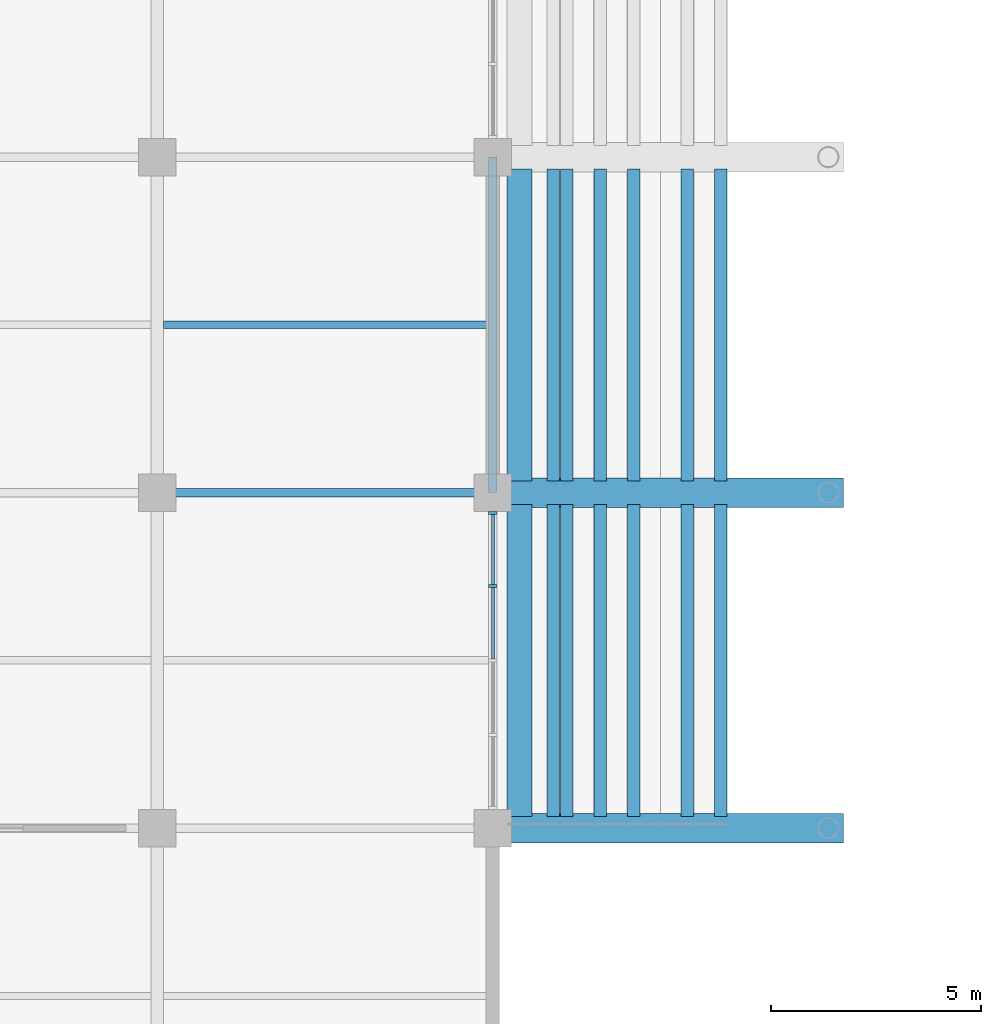
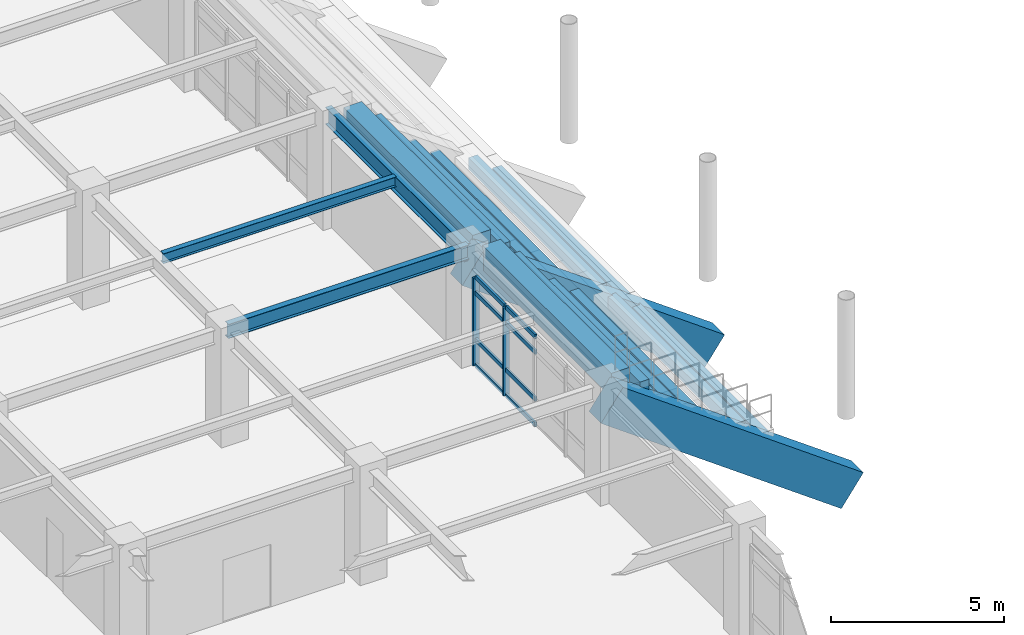
# One storey, part 20 of 118: 19 beams, 10 members, 1 element without a shape of its own.
"""IFC4 building model written with IfcOpenShell, lengths in metres."""

from ifc_helpers import new_model, si_unit, direction, frame, origin, origin_2d, place, context, subcontext, project, spatial, rectangle, i_section, extrude, material, layer, layer_set, material_profile, profile_set, type_object, element, aggregate, save


model = new_model("IFC4")

# Units and contexts
model_context = context("Model", 3, precision=1e-05, world=origin(), true_north=direction((0.0, 1.0)))
body_context = subcontext(model_context, "Body", "Model", "MODEL_VIEW")
ifc_project = project(units=[si_unit("LENGTHUNIT", "METRE"), si_unit("AREAUNIT", "SQUARE_METRE"), si_unit("VOLUMEUNIT", "CUBIC_METRE"), si_unit("PLANEANGLEUNIT", "RADIAN"), si_unit("MASSUNIT", "GRAM", prefix="KILO")], contexts=[model_context])

# Site, building, storey
site_placement = place(None, origin())
site = spatial("IfcSite", under=ifc_project, at=site_placement, CompositionType="ELEMENT")
building_placement = place(site_placement, origin())
building = spatial("IfcBuilding", under=site, at=building_placement, Name="Haebicheon Civic Stadium", CompositionType="ELEMENT")
storey_placement = place(building_placement, frame((0.0, 0.0, 14.39990234375)))
storey = spatial("IfcBuildingStorey", under=building, at=storey_placement, Name="L04", CompositionType="ELEMENT", Elevation=14.39990234375)

# Beams
ifc_material_1 = material(Name="Precast concrete C40/50", Category="concrete")
ifc_material_profile_1 = material_profile(ifc_material_1, rectangle(XDim=0.300048828125, YDim=0.39990234375, at=origin_2d()), Name="PC-LN-300x400")
ifc_profile_set_1 = profile_set([ifc_material_profile_1], Name="Precast concrete C40/50")
beam_type_1 = type_object("IfcBeamType", Name="BM-LN-300x400", PredefinedType="LINTEL", material=ifc_profile_set_1)
for number, where, z_axis, x_axis, name in (
    (1, (69.43994140625, 48.280029296875, -0.10693359375), (0.0, 1.0, 0.0), (-1.0, 0.0, 0.0), "TIER-W-U precast step carrier beam 1.4"),
    (2, (68.639892578125, 48.280029296875, 0.5380859375), (0.0, 1.0, 0.0), (-1.0, 0.0, 0.0), "TIER-W-U precast step carrier beam 1.5"),
    (3, (67.360107421875, 48.280029296875, 1.18212890625), (0.0, 1.0, 0.0), (-1.0, 0.0, 0.0), "TIER-W-U precast step carrier beam 1.6"),
    (4, (66.56005859375, 48.280029296875, 1.8271484375), (0.0, 1.0, 0.0), (-1.0, 0.0, 0.0), "TIER-W-U precast step carrier beam 1.7"),
    (5, (65.760009765625, 48.280029296875, 2.47119140625), (0.0, 1.0, 0.0), (-1.0, 0.0, 0.0), "TIER-W-U precast step carrier beam 1.8"),
    (6, (65.43994140625, 48.280029296875, 3.1162109375), (0.0, 1.0, 0.0), (-1.0, 0.0, 0.0), "TIER-W-U precast step carrier beam 1.9"),
    (7, (69.43994140625, 56.280029296875, -0.10693359375), (0.0, 1.0, 0.0), (-1.0, 0.0, 0.0), "TIER-W-U precast step carrier beam 2.4"),
    (8, (68.639892578125, 56.280029296875, 0.5380859375), (0.0, 1.0, 0.0), (-1.0, 0.0, 0.0), "TIER-W-U precast step carrier beam 2.5"),
    (9, (67.360107421875, 56.280029296875, 1.18212890625), (0.0, 1.0, 0.0), (-1.0, 0.0, 0.0), "TIER-W-U precast step carrier beam 2.6"),
    (10, (66.56005859375, 56.280029296875, 1.8271484375), (0.0, 1.0, 0.0), (-1.0, 0.0, 0.0), "TIER-W-U precast step carrier beam 2.7"),
    (11, (65.760009765625, 56.280029296875, 2.47119140625), (0.0, 1.0, 0.0), (-1.0, 0.0, 0.0), "TIER-W-U precast step carrier beam 2.8"),
    (12, (65.43994140625, 56.280029296875, 3.1162109375), (0.0, 1.0, 0.0), (-1.0, 0.0, 0.0), "TIER-W-U precast step carrier beam 2.9"),
):
    element("IfcBeam", number, at=place(storey_placement, frame(where, z_axis=z_axis, x_axis=x_axis)), inside=storey, type_object=beam_type_1, material=ifc_profile_set_1, Name=name, PredefinedType="LINTEL", context=body_context, shape_type="SweptSolid", body=[
        extrude(rectangle(XDim=0.300048828125, YDim=0.39990234375, at=origin_2d()), origin(), (0.0, 0.0, 1.0), 7.43994140625),
    ])
ifc_material_2 = material(Name="Steel SM355 (S355)", Category="steel")
ifc_material_profile_2 = material_profile(ifc_material_2, i_section(OverallWidth=0.199951171875, OverallDepth=0.5, WebThickness=0.010009765625, FlangeThickness=0.01611328125, at=origin_2d()), Name="H-500x200x10x16")
ifc_profile_set_2 = profile_set([ifc_material_profile_2], Name="Steel SM355 (S355)")
beam_type_2 = type_object("IfcBeamType", Name="BM-ST-H500", PredefinedType="BEAM", material=ifc_profile_set_2)
beam_1_placement = place(storey_placement, frame((56.0, 56.0, 3.72998046875), z_axis=(1.0, 0.0, 0.0), x_axis=(0.0, 1.0, 0.0)))
element("IfcBeam", 13, at=beam_1_placement, inside=storey, type_object=beam_type_2, material=ifc_profile_set_2, Name="L04 beam H/8-9", PredefinedType="BEAM", context=body_context, shape_type="SweptSolid", body=[
    extrude(i_section(OverallWidth=0.199951171875, OverallDepth=0.5, WebThickness=0.010009765625, FlangeThickness=0.01611328125, at=origin_2d()), origin(), (0.0, 0.0, 1.0), 8.0),
])
ifc_material_3 = material(Name="Precast concrete C40/50", Category="concrete")
ifc_material_profile_3 = material_profile(ifc_material_3, rectangle(XDim=0.60009765625, YDim=0.85009765625, at=origin_2d()), Name="PC-TB-600x850")
ifc_profile_set_3 = profile_set([ifc_material_profile_3], Name="Precast concrete C40/50")
beam_type_3 = type_object("IfcBeamType", Name="BM-TB-600x850", PredefinedType="T_BEAM", material=ifc_profile_set_3)
for number, where, z_axis, x_axis, name in (
    (14, (64.639892578125, 48.280029296875, 3.53515625), (0.0, 1.0, 0.0), (-1.0, 0.0, 0.0), "TIER-W-U upper tier bench carrier beam 1"),
    (15, (64.639892578125, 56.280029296875, 3.53515625), (0.0, 1.0, 0.0), (-1.0, 0.0, 0.0), "TIER-W-U upper tier bench carrier beam 2"),
):
    element("IfcBeam", number, at=place(storey_placement, frame(where, z_axis=z_axis, x_axis=x_axis)), inside=storey, type_object=beam_type_3, material=ifc_profile_set_3, Name=name, PredefinedType="T_BEAM", context=body_context, shape_type="SweptSolid", body=[
        extrude(rectangle(XDim=0.60009765625, YDim=0.85009765625, at=origin_2d()), origin(), (0.0, 0.0, 1.0), 7.43994140625),
    ])

# Curtain wall, members
ifc_material_4 = material(Name="Anodised aluminium and laminated glass", Category="aluminium")
ifc_layer = layer(ifc_material_4, 0.179931640625, Name="Anodised aluminium and laminated glass")
ifc_layer_set = layer_set([ifc_layer], Name="Anodised aluminium and laminated glass")
curtain_wall_type = type_object("IfcCurtainWallType", Name="CW-7100x3100", PredefinedType="NOTDEFINED", material=ifc_layer_set)
curtain_wall_placement = place(storey_placement, origin())
curtain_wall = element("IfcCurtainWall", 16, at=curtain_wall_placement, inside=storey, type_object=curtain_wall_type, material=ifc_layer_set, Name="L04 unitised curtain wall 117", PredefinedType="NOTDEFINED")
ifc_material_5 = material(Name="Anodised aluminium 6063-T6", Category="aluminium")
ifc_material_profile_4 = material_profile(ifc_material_5, rectangle(XDim=0.070068359375, YDim=0.199951171875, at=origin_2d()), Name="ALU-MULL-70x200")
ifc_profile_set_4 = profile_set([ifc_material_profile_4], Name="Anodised aluminium 6063-T6")
member_type_1 = type_object("IfcMemberType", Name="CWM-200x70", PredefinedType="MULLION", material=ifc_profile_set_4)
member_1_placement = place(storey_placement, frame((64.0, 53.77490234375, 0.0), z_axis=(0.0, 0.0, 1.0), x_axis=(0.0, 1.0, 0.0)))
member_1 = element("IfcMember", 17, at=member_1_placement, type_object=member_type_1, material=ifc_profile_set_4, Name="CW-L04-117 vertical mullion 4", PredefinedType="MULLION", context=body_context, shape_type="SweptSolid", body=[
    extrude(rectangle(XDim=0.070068359375, YDim=0.199951171875, at=origin_2d()), origin(), (0.0, 0.0, 1.0), 3.10009765625),
])
member_2_placement = place(storey_placement, frame((64.0, 55.514892578125, 0.0), z_axis=(0.0, 0.0, 1.0), x_axis=(0.0, 1.0, 0.0)))
member_2 = element("IfcMember", 18, at=member_2_placement, type_object=member_type_1, material=ifc_profile_set_4, Name="CW-L04-117 vertical mullion 5", PredefinedType="MULLION", context=body_context, shape_type="SweptSolid", body=[
    extrude(rectangle(XDim=0.070068359375, YDim=0.199951171875, at=origin_2d()), origin(), (0.0, 0.0, 1.0), 3.10009765625),
])
ifc_material_6 = material(Name="Anodised aluminium 6063-T6", Category="aluminium")
ifc_material_profile_5 = material_profile(ifc_material_6, rectangle(XDim=0.070068359375, YDim=0.14990234375, at=origin_2d()), Name="ALU-TRAN-70x150")
ifc_profile_set_5 = profile_set([ifc_material_profile_5], Name="Anodised aluminium 6063-T6")
member_type_2 = type_object("IfcMemberType", Name="CWT-150x70", PredefinedType="NOTDEFINED", material=ifc_profile_set_5)
member_3_placement = place(storey_placement, frame((64.0, 52.034912109375, 0.0), z_axis=(0.0, 1.0, 0.0), x_axis=(-1.0, 0.0, 0.0)))
member_3 = element("IfcMember", 19, at=member_3_placement, type_object=member_type_2, material=ifc_profile_set_5, Name="CW-L04-117 horizontal transom 3.1", ObjectType="TRANSOM", PredefinedType="USERDEFINED", context=body_context, shape_type="SweptSolid", body=[
    extrude(rectangle(XDim=0.070068359375, YDim=0.14990234375, at=origin_2d()), origin(), (0.0, 0.0, 1.0), 1.705078125),
])
member_4_placement = place(storey_placement, frame((64.0, 52.034912109375, 0.900146484375), z_axis=(0.0, 1.0, 0.0), x_axis=(-1.0, 0.0, 0.0)))
member_4 = element("IfcMember", 20, at=member_4_placement, type_object=member_type_2, material=ifc_profile_set_5, Name="CW-L04-117 horizontal transom 3.2", ObjectType="TRANSOM", PredefinedType="USERDEFINED", context=body_context, shape_type="SweptSolid", body=[
    extrude(rectangle(XDim=0.070068359375, YDim=0.14990234375, at=origin_2d()), origin(), (0.0, 0.0, 1.0), 1.705078125),
])
member_5_placement = place(storey_placement, frame((64.0, 52.034912109375, 2.550048828125), z_axis=(0.0, 1.0, 0.0), x_axis=(-1.0, 0.0, 0.0)))
member_5 = element("IfcMember", 21, at=member_5_placement, type_object=member_type_2, material=ifc_profile_set_5, Name="CW-L04-117 horizontal transom 3.3", ObjectType="TRANSOM", PredefinedType="USERDEFINED", context=body_context, shape_type="SweptSolid", body=[
    extrude(rectangle(XDim=0.070068359375, YDim=0.14990234375, at=origin_2d()), origin(), (0.0, 0.0, 1.0), 1.705078125),
])
member_6_placement = place(storey_placement, frame((64.0, 52.034912109375, 3.10009765625), z_axis=(0.0, 1.0, 0.0), x_axis=(-1.0, 0.0, 0.0)))
member_6 = element("IfcMember", 22, at=member_6_placement, type_object=member_type_2, material=ifc_profile_set_5, Name="CW-L04-117 horizontal transom 3.4", ObjectType="TRANSOM", PredefinedType="USERDEFINED", context=body_context, shape_type="SweptSolid", body=[
    extrude(rectangle(XDim=0.070068359375, YDim=0.14990234375, at=origin_2d()), origin(), (0.0, 0.0, 1.0), 1.705078125),
])
member_7_placement = place(storey_placement, frame((64.0, 53.81005859375, 0.0), z_axis=(0.0, 1.0, 0.0), x_axis=(-1.0, 0.0, 0.0)))
member_7 = element("IfcMember", 23, at=member_7_placement, type_object=member_type_2, material=ifc_profile_set_5, Name="CW-L04-117 horizontal transom 4.1", ObjectType="TRANSOM", PredefinedType="USERDEFINED", context=body_context, shape_type="SweptSolid", body=[
    extrude(rectangle(XDim=0.070068359375, YDim=0.14990234375, at=origin_2d()), origin(), (0.0, 0.0, 1.0), 1.669921875),
])
member_8_placement = place(storey_placement, frame((64.0, 53.81005859375, 0.900146484375), z_axis=(0.0, 1.0, 0.0), x_axis=(-1.0, 0.0, 0.0)))
member_8 = element("IfcMember", 24, at=member_8_placement, type_object=member_type_2, material=ifc_profile_set_5, Name="CW-L04-117 horizontal transom 4.2", ObjectType="TRANSOM", PredefinedType="USERDEFINED", context=body_context, shape_type="SweptSolid", body=[
    extrude(rectangle(XDim=0.070068359375, YDim=0.14990234375, at=origin_2d()), origin(), (0.0, 0.0, 1.0), 1.669921875),
])
member_9_placement = place(storey_placement, frame((64.0, 53.81005859375, 2.550048828125), z_axis=(0.0, 1.0, 0.0), x_axis=(-1.0, 0.0, 0.0)))
member_9 = element("IfcMember", 25, at=member_9_placement, type_object=member_type_2, material=ifc_profile_set_5, Name="CW-L04-117 horizontal transom 4.3", ObjectType="TRANSOM", PredefinedType="USERDEFINED", context=body_context, shape_type="SweptSolid", body=[
    extrude(rectangle(XDim=0.070068359375, YDim=0.14990234375, at=origin_2d()), origin(), (0.0, 0.0, 1.0), 1.669921875),
])
member_10_placement = place(storey_placement, frame((64.0, 53.81005859375, 3.10009765625), z_axis=(0.0, 1.0, 0.0), x_axis=(-1.0, 0.0, 0.0)))
member_10 = element("IfcMember", 26, at=member_10_placement, type_object=member_type_2, material=ifc_profile_set_5, Name="CW-L04-117 horizontal transom 4.4", ObjectType="TRANSOM", PredefinedType="USERDEFINED", context=body_context, shape_type="SweptSolid", body=[
    extrude(rectangle(XDim=0.070068359375, YDim=0.14990234375, at=origin_2d()), origin(), (0.0, 0.0, 1.0), 1.669921875),
])
aggregate(curtain_wall, [member_1, member_2, member_3, member_4, member_5, member_6, member_7, member_8, member_9, member_10])

# Beams
ifc_material_7 = material(Name="Steel SM355 (S355)", Category="steel")
ifc_material_profile_6 = material_profile(ifc_material_7, i_section(OverallWidth=0.175048828125, OverallDepth=0.35009765625, WebThickness=0.007080078125, FlangeThickness=0.010986328125, at=origin_2d()), Name="H-350x175x7x11")
ifc_profile_set_6 = profile_set([ifc_material_profile_6], Name="Steel SM355 (S355)")
beam_type_4 = type_object("IfcBeamType", Name="JST-ST-H350", PredefinedType="JOIST", material=ifc_profile_set_6)
beam_2_placement = place(storey_placement, frame((56.14990234375, 60.0, 3.80517578125), z_axis=(1.0, 0.0, 0.0), x_axis=(0.0, 1.0, 0.0)))
element("IfcBeam", 27, at=beam_2_placement, inside=storey, type_object=beam_type_4, material=ifc_profile_set_6, Name="L04 secondary joist 07-07", PredefinedType="JOIST", context=body_context, shape_type="SweptSolid", body=[
    extrude(i_section(OverallWidth=0.175048828125, OverallDepth=0.35009765625, WebThickness=0.007080078125, FlangeThickness=0.010986328125, at=origin_2d()), origin(), (0.0, 0.0, 1.0), 7.75),
])
ifc_material_8 = material(Name="Precast concrete C40/50", Category="concrete")
ifc_material_profile_7 = material_profile(ifc_material_8, rectangle(XDim=0.699951171875, YDim=1.25, at=origin_2d()), Name="PC-RK-700x1250")
ifc_profile_set_7 = profile_set([ifc_material_profile_7], Name="Precast concrete C40/50")
beam_type_5 = type_object("IfcBeamType", Name="RK-PC-700x1250", PredefinedType="USERDEFINED", material=ifc_profile_set_7)
for number, where, z_axis, x_axis, name in (
    (28, (72.0, 48.0, -2.46484375), (-0.809608095134, 0.0, 0.586970810428), (0.0, -1.0, 0.0), "TIER-W-U inclined precast raker beam 1"),
    (29, (72.0, 56.0, -2.46484375), (-0.809608095134, 0.0, 0.586970810428), (0.0, -1.0, 0.0), "TIER-W-U inclined precast raker beam 2"),
):
    element("IfcBeam", number, at=place(storey_placement, frame(where, z_axis=z_axis, x_axis=x_axis)), inside=storey, type_object=beam_type_5, material=ifc_profile_set_7, Name=name, ObjectType="RAKER BEAM", PredefinedType="USERDEFINED", context=body_context, shape_type="SweptSolid", body=[
        extrude(rectangle(XDim=0.699951171875, YDim=1.25, at=origin_2d()), origin(), (0.0, 0.0, 1.0), 9.88134765625),
    ])
ifc_material_9 = material(Name="Steel SM355 (S355)", Category="steel")
ifc_material_profile_8 = material_profile(ifc_material_9, i_section(OverallWidth=0.199951171875, OverallDepth=0.60009765625, WebThickness=0.010986328125, FlangeThickness=0.01708984375, at=origin_2d()), Name="H-600x200x11x17")
ifc_profile_set_8 = profile_set([ifc_material_profile_8], Name="Steel SM355 (S355)")
beam_type_6 = type_object("IfcBeamType", Name="SPD-ST-H600B", PredefinedType="SPANDREL", material=ifc_profile_set_8)
beam_3_placement = place(storey_placement, frame((64.0, 56.0, 3.656005859375), z_axis=(0.0, 1.0, 0.0), x_axis=(-1.0, 0.0, 0.0)))
element("IfcBeam", 30, at=beam_3_placement, inside=storey, type_object=beam_type_6, material=ifc_profile_set_8, Name="L04 girder 9/H-J", PredefinedType="SPANDREL", context=body_context, shape_type="SweptSolid", body=[
    extrude(i_section(OverallWidth=0.199951171875, OverallDepth=0.60009765625, WebThickness=0.010986328125, FlangeThickness=0.01708984375, at=origin_2d()), origin(), (0.0, 0.0, 1.0), 8.0),
])

save(model, "model.ifc")
